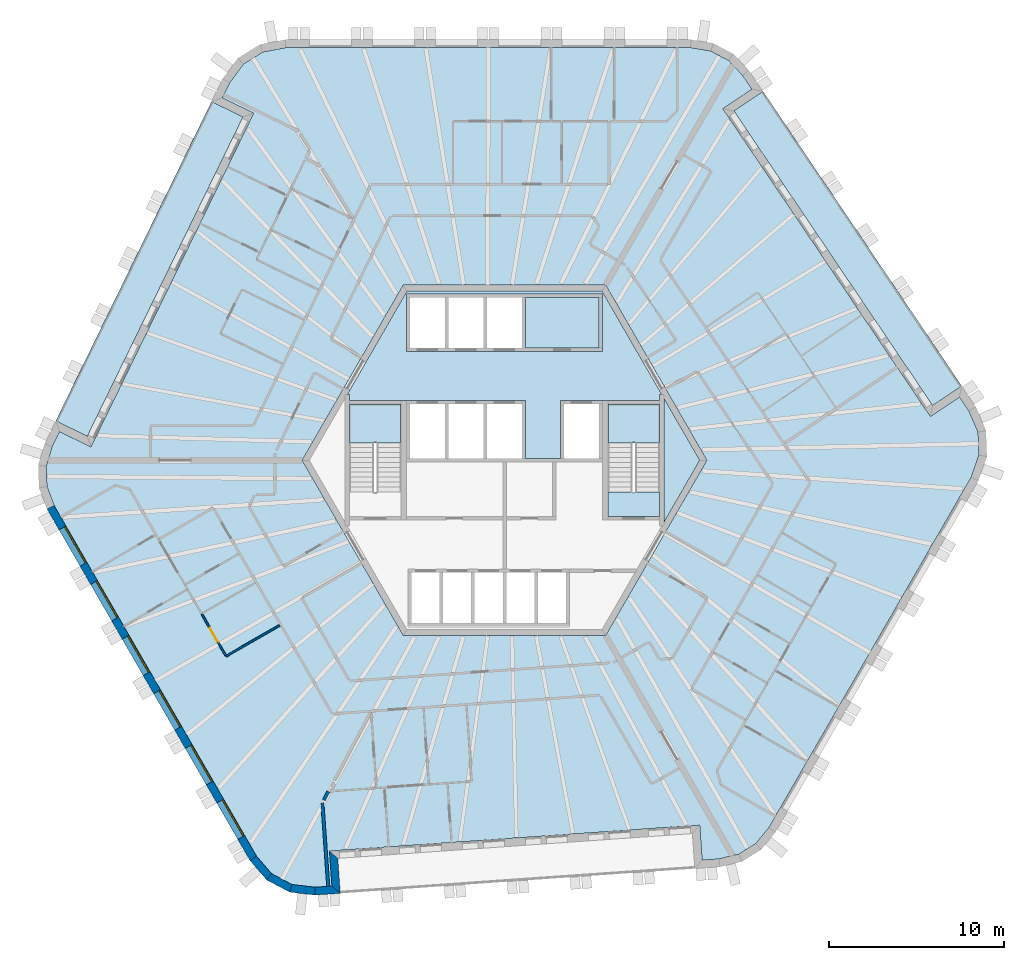
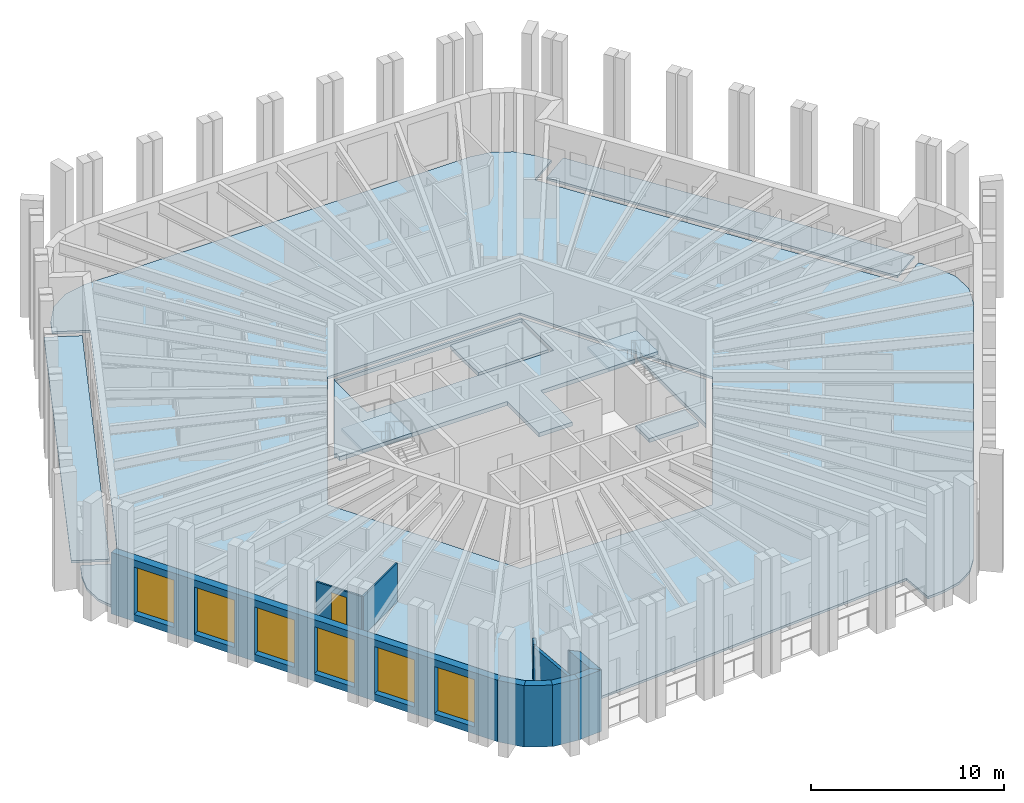
# One storey, part 2 of 12: 10 walls, 9 slabs, 6 windows, 1 door, 7 openings, 2 elements without a shape of their own.
"""IFC4 building model written with IfcOpenShell, lengths in metres."""

from ifc_helpers import new_model, si_unit, direction, frame, frame_2d, origin, place, context, subcontext, project, spatial, polyline, rectangle, outline, extrude, material, layer, layer_set, type_object, element, fill, aggregate, save


model = new_model("IFC4")

# Units and contexts
model_context = context("Model", 3, precision=1e-05, world=origin(), true_north=direction((0.0, 1.0)))
body_context = subcontext(model_context, "Body", "Model", "MODEL_VIEW")
ifc_project = project(units=[si_unit("LENGTHUNIT", "METRE"), si_unit("AREAUNIT", "SQUARE_METRE"), si_unit("VOLUMEUNIT", "CUBIC_METRE"), si_unit("PLANEANGLEUNIT", "RADIAN"), si_unit("MASSUNIT", "GRAM", prefix="KILO")], contexts=[model_context])

# Site, building, storey
site_placement = place(None, origin())
site = spatial("IfcSite", under=ifc_project, at=site_placement, CompositionType="ELEMENT")
building_placement = place(site_placement, origin())
building = spatial("IfcBuilding", under=site, at=building_placement, Name="Tarnside Tower", CompositionType="ELEMENT")
storey_placement = place(building_placement, frame((0.0, 0.0, 369.0)))
storey = spatial("IfcBuildingStorey", under=building, at=storey_placement, Name="L89", CompositionType="ELEMENT", Elevation=369.0)

# Slabs
ifc_material_1 = material(Name="Concrete C35/45", Category="concrete")
ifc_layer_1 = layer(ifc_material_1, 0.14990234375)
ifc_layer_set_1 = layer_set([ifc_layer_1], Name="Composite floor slab 150")
slab_type_1 = type_object("IfcSlabType", Name="Composite floor slab 150", PredefinedType="FLOOR", material=ifc_layer_set_1)
slab_1_placement = place(storey_placement, frame((0.0, 0.0, -0.14990234375)))
element("IfcSlab", 1, at=slab_1_placement, inside=storey, type_object=slab_type_1, Name="Floor slab L89", PredefinedType="FLOOR", context=body_context, shape_type="SweptSolid", body=[
    extrude(outline(polyline([(11.769287109375, 23.3603515625), (12.785400390625, 22.8203125), (13.58740234375, 21.969970703125), (14.12255859375, 21.1767578125), (12.46435546875, 20.058349609375), (24.30908203125, 2.498046875), (25.967041015625, 3.616455078125), (26.50048828125, 2.82568359375), (27.02880859375, 1.6005859375), (27.07470703125, 0.288818359375), (26.633056640625, -0.97021484375), (15.0869140625, -20.968505859375), (14.345947265625, -21.872802734375), (13.370361328125, -22.482421875), (12.232666015625, -22.752197265625), (11.2783203125, -22.81884765625), (11.138916015625, -20.82373046875), (-9.9912109375, -22.30126953125), (-9.8515625, -24.29638671875), (-10.80322265625, -24.36279296875), (-12.12841796875, -24.2080078125), (-13.287353515625, -23.591796875), (-14.15673828125, -22.579833984375), (-25.702880859375, -2.581298828125), (-26.115478515625, -1.487548828125), (-26.155517578125, -0.337890625), (-25.8203125, 0.7822265625), (-25.40087890625, 1.64208984375), (-23.603271484375, 0.765380859375), (-14.31787109375, 19.80322265625), (-16.115478515625, 20.679931640625), (-15.697265625, 21.537353515625), (-14.900634765625, 22.607421875), (-13.787353515625, 23.302978515625), (-12.476318359375, 23.550048828125), (10.61572265625, 23.550048828125), (11.769287109375, 23.3603515625)]), holes=[polyline([(-11.547119140625, 0.0), (-5.7734375, -10.0), (5.7734375, -10.0), (11.547119140625, 0.0), (5.7734375, 10.0), (-5.7734375, 10.0), (-11.547119140625, 0.0)])]), origin(), (0.0, 0.0, 1.0), 0.14990234375),
])
ifc_material_2 = material(Name="Concrete C40/50", Category="concrete")
ifc_layer_2 = layer(ifc_material_2, 0.25)
ifc_layer_set_2 = layer_set([ifc_layer_2], Name="Core slab C40/50")
slab_type_2 = type_object("IfcSlabType", Name="Core slab C40/50", PredefinedType="FLOOR", material=ifc_layer_set_2)
slab_2_placement = place(storey_placement, frame((0.0, 0.0, -0.25)))
element("IfcSlab", 2, at=slab_2_placement, inside=storey, type_object=slab_type_2, Name="L89 core floor slab 1", PredefinedType="FLOOR", context=body_context, shape_type="SweptSolid", body=[
    extrude(outline(polyline([(5.5712890625, 9.64990234375), (8.97509765625, 3.7548828125), (8.85009765625, 3.7548828125), (8.85009765625, 3.39990234375), (5.89990234375, 3.39990234375), (5.60009765625, 3.39990234375), (3.39990234375, 3.39990234375), (3.199951171875, 3.39990234375), (3.199951171875, 0.10009765625), (1.199951171875, 0.10009765625), (1.199951171875, 3.39990234375), (1.0, 3.39990234375), (-5.60009765625, 3.39990234375), (-5.89990234375, 3.39990234375), (-8.85009765625, 3.39990234375), (-8.85009765625, 3.7548828125), (-8.97509765625, 3.7548828125), (-5.5712890625, 9.64990234375), (5.5712890625, 9.64990234375)]), holes=[polyline([(-5.60009765625, 6.199951171875), (5.60009765625, 6.199951171875), (5.60009765625, 6.39990234375), (5.60009765625, 9.300048828125), (5.60009765625, 9.5), (-5.60009765625, 9.5), (-5.60009765625, 9.300048828125), (-5.60009765625, 6.39990234375), (-5.60009765625, 6.199951171875)])]), origin(), (0.0, 0.0, 1.0), 0.25),
])
slab_3_placement = place(storey_placement, frame((0.0, 0.0, -0.25)))
element("IfcSlab", 3, at=slab_3_placement, inside=storey, type_object=slab_type_2, Name="L89 core floor slab 4", PredefinedType="FLOOR", context=body_context, shape_type="SweptSolid", body=[
    extrude(outline(polyline([(9.10009765625, 3.538330078125), (11.142822265625, 0.0), (9.10009765625, -3.538330078125), (9.10009765625, 3.538330078125)])), origin(), (0.0, 0.0, 1.0), 0.25),
])
slab_4_placement = place(storey_placement, frame((0.0, 0.0, -0.25)))
element("IfcSlab", 4, at=slab_4_placement, inside=storey, type_object=slab_type_2, Name="L89 core floor slab 6", PredefinedType="FLOOR", context=body_context, shape_type="SweptSolid", body=[
    extrude(outline(polyline([(5.89990234375, -1.800048828125), (8.85009765625, -1.800048828125), (8.85009765625, -3.199951171875), (5.89990234375, -3.199951171875), (5.89990234375, -1.800048828125)])), origin(), (0.0, 0.0, 1.0), 0.25),
])
slab_5_placement = place(storey_placement, frame((0.0, 0.0, -0.25)))
element("IfcSlab", 5, at=slab_5_placement, inside=storey, type_object=slab_type_2, Name="L89 core floor slab 7", PredefinedType="FLOOR", context=body_context, shape_type="SweptSolid", body=[
    extrude(outline(polyline([(5.39990234375, 6.39990234375), (1.199951171875, 6.39990234375), (1.199951171875, 9.300048828125), (5.39990234375, 9.300048828125), (5.39990234375, 6.39990234375)])), origin(), (0.0, 0.0, 1.0), 0.25),
])
ifc_material_3 = material(Name="Timber decking", Category="wood")
ifc_layer_3 = layer(ifc_material_3, 0.0400390625)
ifc_material_4 = material(Name="Concrete C60/75 precast", Category="concrete")
ifc_layer_4 = layer(ifc_material_4, 0.110107421875)
ifc_layer_set_3 = layer_set([ifc_layer_3, ifc_layer_4], Name="Loggia deck 150")
slab_type_3 = type_object("IfcSlabType", Name="Loggia deck 150", PredefinedType="FLOOR", material=ifc_layer_set_3)
slab_6_placement = place(storey_placement, frame((0.0, 0.0, -0.14990234375)))
element("IfcSlab", 6, at=slab_6_placement, inside=storey, type_object=slab_type_3, Name="Loggia deck L89 F2", PredefinedType="FLOOR", context=body_context, shape_type="SweptSolid", body=[
    extrude(outline(polyline([(-14.919677734375, 19.595947265625), (-23.810546875, 1.366943359375), (-25.608154296875, 2.24365234375), (-16.71728515625, 20.47265625), (-14.919677734375, 19.595947265625)])), origin(), (0.0, 0.0, 1.0), 0.14990234375),
])
slab_7_placement = place(storey_placement, frame((0.0, 0.0, -0.14990234375)))
element("IfcSlab", 7, at=slab_7_placement, inside=storey, type_object=slab_type_3, Name="Loggia deck L89 F6", PredefinedType="FLOOR", context=body_context, shape_type="SweptSolid", body=[
    extrude(outline(polyline([(24.430419921875, 3.122802734375), (13.089111328125, 19.93701171875), (14.7470703125, 21.055419921875), (26.088623046875, 4.2412109375), (24.430419921875, 3.122802734375)])), origin(), (0.0, 0.0, 1.0), 0.14990234375),
])

# Stair, slab
stair_type = type_object("IfcStairType", Name="Exit stair 1400 clear", PredefinedType="HALF_TURN_STAIR", material=ifc_material_2)
stair_1_placement = place(storey_placement, origin())
stair_1 = element("IfcStair", 8, at=stair_1_placement, inside=storey, type_object=stair_type, Name="L89 Exit stair 1", PredefinedType="HALF_TURN_STAIR")
ifc_layer_5 = layer(ifc_material_2, 0.199951171875)
ifc_layer_set_4 = layer_set([ifc_layer_5], Name="Stair landing 200 C40/50")
slab_type_4 = type_object("IfcSlabType", Name="Stair landing 200 C40/50", PredefinedType="LANDING", material=ifc_layer_set_4)
slab_8_placement = place(storey_placement, frame((0.0, 0.0, 1.75)))
slab_8 = element("IfcSlab", 9, at=slab_8_placement, type_object=slab_type_4, Name="ST1 landing 1", PredefinedType="LANDING", context=body_context, shape_type="SweptSolid", body=[
    extrude(outline(polyline([(8.85009765625, 1.0), (8.85009765625, 3.199951171875), (5.89990234375, 3.199951171875), (5.89990234375, 1.0), (8.85009765625, 1.0)])), origin(), (0.0, 0.0, 1.0), 0.199951171875),
])
aggregate(stair_1, [slab_8])

stair_2_placement = place(storey_placement, origin())
stair_2 = element("IfcStair", 10, at=stair_2_placement, inside=storey, type_object=stair_type, Name="L89 Exit stair 2", PredefinedType="HALF_TURN_STAIR")
slab_9_placement = place(storey_placement, frame((0.0, 0.0, 1.75)))
slab_9 = element("IfcSlab", 11, at=slab_9_placement, type_object=slab_type_4, Name="ST2 landing 1", PredefinedType="LANDING", context=body_context, shape_type="SweptSolid", body=[
    extrude(outline(polyline([(-5.89990234375, 1.0), (-5.89990234375, 3.199951171875), (-8.85009765625, 3.199951171875), (-8.85009765625, 1.0), (-5.89990234375, 1.0)])), origin(), (0.0, 0.0, 1.0), 0.199951171875),
])
aggregate(stair_2, [slab_9])

# Walls
ifc_material_5 = material(Name="Gypsum board partition on steel studs", Category="steel")
ifc_layer_6 = layer(ifc_material_5, 0.179931640625)
ifc_layer_set_5 = layer_set([ifc_layer_6], Name="Demising wall 180 EI 60")
wall_type_1 = type_object("IfcWallType", Name="Demising wall 180 EI 60", PredefinedType="PARTITIONING", material=ifc_layer_set_5)
wall_1_placement = place(storey_placement, frame((-10.060302734375, -24.31103515625, 0.0), z_axis=(0.0, 0.0, 1.0), x_axis=(-0.069731958306, 0.997565764244, 0.0)))
element("IfcWall", 12, at=wall_1_placement, inside=storey, type_object=wall_type_1, Name="Demising wall 29111", PredefinedType="PARTITIONING", context=body_context, shape_type="SweptSolid", body=[
    extrude(rectangle(XDim=4.775634765625, YDim=0.179931640625, at=frame_2d((2.3876953125, 0.0))), origin(), (0.0, 0.0, 1.0), 2.469970703125),
])
wall_2_placement = place(storey_placement, frame((-10.313720703125, -19.397216796875, 0.0), z_axis=(0.0, 0.0, 1.0), x_axis=(0.469648701082, 0.882853383961, 0.0)))
element("IfcWall", 13, at=wall_2_placement, inside=storey, type_object=wall_type_1, Name="Demising wall 29112", PredefinedType="PARTITIONING", context=body_context, shape_type="SweptSolid", body=[
    extrude(rectangle(XDim=0.566650390625, YDim=0.179931640625, at=frame_2d((0.283203125, 0.0))), origin(), (0.0, 0.0, 1.0), 2.469970703125),
])
ifc_material_6 = material(Name="Dark zinc cladding")
ifc_layer_7 = layer(ifc_material_6, 0.10205078125)
ifc_layer_8 = layer(ifc_material_4, 0.248046875)
ifc_material_7 = material(Name="Mineral wool insulation")
ifc_layer_9 = layer(ifc_material_7, 0.10009765625)
ifc_layer_set_6 = layer_set([ifc_layer_7, ifc_layer_8, ifc_layer_9], Name="Loggia wall 450 zinc faced")
wall_type_2 = type_object("IfcWallType", Name="Loggia wall 450 zinc faced", PredefinedType="SOLIDWALL", material=ifc_layer_set_6)
wall_3_placement = place(storey_placement, frame((-10.80859375, -24.5888671875, -0.14990234375), z_axis=(0.0, 0.0, 1.0), x_axis=(0.997562933087, 0.069772448216, 0.0)))
element("IfcWall", 14, at=wall_3_placement, inside=storey, type_object=wall_type_2, Name="Tube wall L89 F4 stub 16", PredefinedType="SOLIDWALL", context=body_context, shape_type="SweptSolid", body=[
    extrude(outline(polyline([(-0.02099609375, -0.22509765625), (1.42529296875, -0.22509765625), (0.97509765625, 0.22509765625), (0.02099609375, 0.22509765625), (-0.02099609375, -0.22509765625)])), origin(), (0.0, 0.0, 1.0), 3.89990234375),
])
wall_4_placement = place(storey_placement, frame((-9.611328125, -24.505126953125, -0.14990234375), z_axis=(0.0, 0.0, 1.0), x_axis=(-0.069824268692, 0.99755930726, 0.0)))
element("IfcWall", 15, at=wall_4_placement, inside=storey, type_object=wall_type_2, Name="Tube wall L89 F4 return 17", PredefinedType="SOLIDWALL", context=body_context, shape_type="SweptSolid", body=[
    extrude(outline(polyline([(-0.224853515625, -0.22509765625), (1.77490234375, -0.22509765625), (2.22509765625, 0.22509765625), (0.224853515625, 0.22509765625), (-0.224853515625, -0.22509765625)])), origin(), (0.0, 0.0, 1.0), 3.89990234375),
])
ifc_layer_10 = layer(ifc_material_5, 0.10009765625)
ifc_layer_set_7 = layer_set([ifc_layer_10], Name="Partition 100")
wall_type_3 = type_object("IfcWallType", Name="Partition 100", PredefinedType="PARTITIONING", material=ifc_layer_set_7)
wall_5_placement = place(storey_placement, frame((-12.8359375, -9.417724609375, 0.0), z_axis=(0.0, 0.0, 1.0), x_axis=(-0.866031034943, -0.499990246421, 0.0)))
element("IfcWall", 16, at=wall_5_placement, inside=storey, type_object=wall_type_3, Name="Partition wall 29109", PredefinedType="PARTITIONING", context=body_context, shape_type="SweptSolid", body=[
    extrude(rectangle(XDim=3.52490234375, YDim=0.10009765625, at=frame_2d((1.762451171875, 0.0))), origin(), (0.0, 0.0, 1.0), 2.469970703125),
])

# Wall, opening, door
wall_6_placement = place(storey_placement, frame((-15.91357421875, -11.136962890625, 0.0), z_axis=(0.0, 0.0, 1.0), x_axis=(-0.50000943426, 0.866019956843, 0.0)))
wall_6 = element("IfcWall", 17, at=wall_6_placement, inside=storey, type_object=wall_type_3, Name="Partition wall 29110", PredefinedType="PARTITIONING", context=body_context, shape_type="SweptSolid", body=[
    extrude(rectangle(XDim=2.7001953125, YDim=0.10009765625, at=frame_2d((1.35009765625, 0.0))), origin(), (0.0, 0.0, 1.0), 2.469970703125),
])
opening_1_placement = place(wall_6_placement, frame((0.89990234375, 0.0, 0.0)))
opening_1 = element("IfcOpeningElement", 18, at=opening_1_placement, cuts=wall_6, Name="Opening D-I1", PredefinedType="OPENING", context=body_context, shape_type="SweptSolid", body=[
    extrude(rectangle(XDim=0.89990234375, YDim=2.10009765625, at=frame_2d((0.449951171875, 1.050048828125))), frame((0.0, 0.06005859375, 0.0), z_axis=(0.0, -1.0, 0.0), x_axis=(1.0, 0.0, 0.0)), (0.0, 0.0, 1.0), 0.1201171875),
])
ifc_material_8 = material(Name="Timber door leaf", Category="wood")
door_type = type_object("IfcDoorType", Name="Internal door 900", OperationType="NOTDEFINED", PredefinedType="DOOR", material=ifc_material_8)
door_placement = place(opening_1_placement, origin())
door = element("IfcDoor", 19, at=door_placement, inside=storey, type_object=door_type, Name="Internal door 29030", OperationType="SINGLE_SWING_LEFT", OverallHeight=2.10009765625, OverallWidth=0.89990234375, PredefinedType="DOOR", context=body_context, shape_type="SweptSolid", body=[
    extrude(rectangle(XDim=0.89990234375, YDim=2.10009765625, at=frame_2d((0.449951171875, 1.050048828125))), frame((0.0, 0.02490234375, 0.0), z_axis=(0.0, -1.0, 0.0), x_axis=(1.0, 0.0, 0.0)), (0.0, 0.0, 1.0), 0.050048828125),
])
fill(opening_1, door)

# Wall, openings, windows
ifc_material_9 = material(Name="Facing brick", Category="masonry")
ifc_layer_11 = layer(ifc_material_9, 0.10205078125)
ifc_layer_12 = layer(ifc_material_4, 0.248046875)
ifc_layer_13 = layer(ifc_material_7, 0.10009765625)
ifc_layer_set_8 = layer_set([ifc_layer_11, ifc_layer_12, ifc_layer_13], Name="Tube wall 450 brick faced")
wall_type_4 = type_object("IfcWallType", Name="Tube wall 450 brick faced", PredefinedType="SOLIDWALL", material=ifc_layer_set_8)
wall_7_placement = place(storey_placement, frame((-25.90673828125, -2.677978515625, -0.14990234375), z_axis=(0.0, 0.0, 1.0), x_axis=(0.499997453958, -0.866026873738, 0.0)))
wall_7 = element("IfcWall", 20, at=wall_7_placement, inside=storey, type_object=wall_type_4, Name="Tube wall L89 F3 flush 12", PredefinedType="SOLIDWALL", context=body_context, shape_type="SweptSolid", body=[
    extrude(outline(polyline([(-0.018310546875, -0.22509765625), (23.15234375, -0.22509765625), (23.1103515625, 0.22509765625), (0.018310546875, 0.22509765625), (-0.018310546875, -0.22509765625)])), origin(), (0.0, 0.0, 1.0), 3.89990234375),
])
opening_2_placement = place(wall_7_placement, frame((1.36572265625, 0.0, 0.449951171875)))
opening_2 = element("IfcOpeningElement", 21, at=opening_2_placement, cuts=wall_7, Name="Opening WP", PredefinedType="OPENING", context=body_context, shape_type="SweptSolid", body=[
    extrude(rectangle(XDim=2.39990234375, YDim=3.0, at=frame_2d((1.199951171875, 1.5))), frame((0.0, 0.23486328125, 0.0), z_axis=(0.0, -1.0, 0.0), x_axis=(1.0, 0.0, 0.0)), (0.0, 0.0, 1.0), 0.469970703125),
])
opening_3_placement = place(wall_7_placement, frame((4.9658203125, 0.0, 0.449951171875)))
opening_3 = element("IfcOpeningElement", 22, at=opening_3_placement, cuts=wall_7, Name="Opening WP", PredefinedType="OPENING", context=body_context, shape_type="SweptSolid", body=[
    extrude(rectangle(XDim=2.39990234375, YDim=3.0, at=frame_2d((1.199951171875, 1.5))), frame((0.0, 0.23486328125, 0.0), z_axis=(0.0, -1.0, 0.0), x_axis=(1.0, 0.0, 0.0)), (0.0, 0.0, 1.0), 0.469970703125),
])
opening_4_placement = place(wall_7_placement, frame((8.56591796875, 0.0, 0.449951171875)))
opening_4 = element("IfcOpeningElement", 23, at=opening_4_placement, cuts=wall_7, Name="Opening WP", PredefinedType="OPENING", context=body_context, shape_type="SweptSolid", body=[
    extrude(rectangle(XDim=2.39990234375, YDim=3.0, at=frame_2d((1.199951171875, 1.5))), frame((0.0, 0.23486328125, 0.0), z_axis=(0.0, -1.0, 0.0), x_axis=(1.0, 0.0, 0.0)), (0.0, 0.0, 1.0), 0.469970703125),
])
opening_5_placement = place(wall_7_placement, frame((12.165771484375, 0.0, 0.449951171875)))
opening_5 = element("IfcOpeningElement", 24, at=opening_5_placement, cuts=wall_7, Name="Opening WP", PredefinedType="OPENING", context=body_context, shape_type="SweptSolid", body=[
    extrude(rectangle(XDim=2.39990234375, YDim=3.0, at=frame_2d((1.199951171875, 1.5))), frame((0.0, 0.23486328125, 0.0), z_axis=(0.0, -1.0, 0.0), x_axis=(1.0, 0.0, 0.0)), (0.0, 0.0, 1.0), 0.469970703125),
])
opening_6_placement = place(wall_7_placement, frame((15.765869140625, 0.0, 0.449951171875)))
opening_6 = element("IfcOpeningElement", 25, at=opening_6_placement, cuts=wall_7, Name="Opening WP", PredefinedType="OPENING", context=body_context, shape_type="SweptSolid", body=[
    extrude(rectangle(XDim=2.39990234375, YDim=3.0, at=frame_2d((1.199951171875, 1.5))), frame((0.0, 0.23486328125, 0.0), z_axis=(0.0, -1.0, 0.0), x_axis=(1.0, 0.0, 0.0)), (0.0, 0.0, 1.0), 0.469970703125),
])
opening_7_placement = place(wall_7_placement, frame((19.36572265625, 0.0, 0.449951171875)))
opening_7 = element("IfcOpeningElement", 26, at=opening_7_placement, cuts=wall_7, Name="Opening WP", PredefinedType="OPENING", context=body_context, shape_type="SweptSolid", body=[
    extrude(rectangle(XDim=2.39990234375, YDim=3.0, at=frame_2d((1.199951171875, 1.5))), frame((0.0, 0.23486328125, 0.0), z_axis=(0.0, -1.0, 0.0), x_axis=(1.0, 0.0, 0.0)), (0.0, 0.0, 1.0), 0.469970703125),
])
ifc_material_10 = material(Name="Aluminium-framed double glazing", Category="aluminium")
window_type = type_object("IfcWindowType", Name="Penthouse window 2400 x 3000", PartitioningType="DOUBLE_PANEL_VERTICAL", PredefinedType="WINDOW", material=ifc_material_10)
window_1_placement = place(opening_2_placement, frame((0.0, 0.1552734375, 0.0)))
window_1 = element("IfcWindow", 27, at=window_1_placement, inside=storey, type_object=window_type, Name="E.WN.L89.F3.00", OverallHeight=3.0, OverallWidth=2.39990234375, PartitioningType="DOUBLE_PANEL_VERTICAL", PredefinedType="WINDOW", context=body_context, shape_type="SweptSolid", body=[
    extrude(rectangle(XDim=2.39990234375, YDim=3.0, at=frame_2d((1.199951171875, 1.5))), frame((0.0, 0.030029296875, 0.0), z_axis=(0.0, -1.0, 0.0), x_axis=(1.0, 0.0, 0.0)), (0.0, 0.0, 1.0), 0.06005859375),
])
fill(opening_2, window_1)
window_2_placement = place(opening_3_placement, frame((0.0, 0.1552734375, 0.0)))
window_2 = element("IfcWindow", 28, at=window_2_placement, inside=storey, type_object=window_type, Name="E.WN.L89.F3.01", OverallHeight=3.0, OverallWidth=2.39990234375, PartitioningType="DOUBLE_PANEL_VERTICAL", PredefinedType="WINDOW", context=body_context, shape_type="SweptSolid", body=[
    extrude(rectangle(XDim=2.39990234375, YDim=3.0, at=frame_2d((1.199951171875, 1.5))), frame((0.0, 0.030029296875, 0.0), z_axis=(0.0, -1.0, 0.0), x_axis=(1.0, 0.0, 0.0)), (0.0, 0.0, 1.0), 0.06005859375),
])
fill(opening_3, window_2)
window_3_placement = place(opening_4_placement, frame((0.0, 0.1552734375, 0.0)))
window_3 = element("IfcWindow", 29, at=window_3_placement, inside=storey, type_object=window_type, Name="E.WN.L89.F3.02", OverallHeight=3.0, OverallWidth=2.39990234375, PartitioningType="DOUBLE_PANEL_VERTICAL", PredefinedType="WINDOW", context=body_context, shape_type="SweptSolid", body=[
    extrude(rectangle(XDim=2.39990234375, YDim=3.0, at=frame_2d((1.199951171875, 1.5))), frame((0.0, 0.030029296875, 0.0), z_axis=(0.0, -1.0, 0.0), x_axis=(1.0, 0.0, 0.0)), (0.0, 0.0, 1.0), 0.06005859375),
])
fill(opening_4, window_3)
window_4_placement = place(opening_5_placement, frame((0.0, 0.1552734375, 0.0)))
window_4 = element("IfcWindow", 30, at=window_4_placement, inside=storey, type_object=window_type, Name="E.WN.L89.F3.03", OverallHeight=3.0, OverallWidth=2.39990234375, PartitioningType="DOUBLE_PANEL_VERTICAL", PredefinedType="WINDOW", context=body_context, shape_type="SweptSolid", body=[
    extrude(rectangle(XDim=2.39990234375, YDim=3.0, at=frame_2d((1.199951171875, 1.5))), frame((0.0, 0.030029296875, 0.0), z_axis=(0.0, -1.0, 0.0), x_axis=(1.0, 0.0, 0.0)), (0.0, 0.0, 1.0), 0.06005859375),
])
fill(opening_5, window_4)
window_5_placement = place(opening_6_placement, frame((0.0, 0.1552734375, 0.0)))
window_5 = element("IfcWindow", 31, at=window_5_placement, inside=storey, type_object=window_type, Name="E.WN.L89.F3.04", OverallHeight=3.0, OverallWidth=2.39990234375, PartitioningType="DOUBLE_PANEL_VERTICAL", PredefinedType="WINDOW", context=body_context, shape_type="SweptSolid", body=[
    extrude(rectangle(XDim=2.39990234375, YDim=3.0, at=frame_2d((1.199951171875, 1.5))), frame((0.0, 0.030029296875, 0.0), z_axis=(0.0, -1.0, 0.0), x_axis=(1.0, 0.0, 0.0)), (0.0, 0.0, 1.0), 0.06005859375),
])
fill(opening_6, window_5)
window_6_placement = place(opening_7_placement, frame((0.0, 0.1552734375, 0.0)))
window_6 = element("IfcWindow", 32, at=window_6_placement, inside=storey, type_object=window_type, Name="E.WN.L89.F3.05", OverallHeight=3.0, OverallWidth=2.39990234375, PartitioningType="DOUBLE_PANEL_VERTICAL", PredefinedType="WINDOW", context=body_context, shape_type="SweptSolid", body=[
    extrude(rectangle(XDim=2.39990234375, YDim=3.0, at=frame_2d((1.199951171875, 1.5))), frame((0.0, 0.030029296875, 0.0), z_axis=(0.0, -1.0, 0.0), x_axis=(1.0, 0.0, 0.0)), (0.0, 0.0, 1.0), 0.06005859375),
])
fill(opening_7, window_6)

# Walls
wall_8_placement = place(storey_placement, frame((-14.341064453125, -22.71044921875, -0.14990234375), z_axis=(0.0, 0.0, 1.0), x_axis=(0.651625422694, -0.758540907597, 0.0)))
element("IfcWall", 33, at=wall_8_placement, inside=storey, type_object=wall_type_4, Name="Tube wall L89 F3 chord 13", PredefinedType="SOLIDWALL", context=body_context, shape_type="SweptSolid", body=[
    extrude(outline(polyline([(-0.02099609375, -0.22509765625), (1.43994140625, -0.22509765625), (1.35498046875, 0.22509765625), (0.02099609375, 0.22509765625), (-0.02099609375, -0.22509765625)])), origin(), (0.0, 0.0, 1.0), 3.89990234375),
])
wall_9_placement = place(storey_placement, frame((-13.430419921875, -23.7705078125, -0.14990234375), z_axis=(0.0, 0.0, 1.0), x_axis=(0.882966382564, -0.469436222784, 0.0)))
element("IfcWall", 34, at=wall_9_placement, inside=storey, type_object=wall_type_4, Name="Tube wall L89 F3 chord 14", PredefinedType="SOLIDWALL", context=body_context, shape_type="SweptSolid", body=[
    extrude(outline(polyline([(-0.04248046875, -0.22509765625), (1.43994140625, -0.22509765625), (1.35498046875, 0.22509765625), (0.04248046875, 0.22509765625), (-0.04248046875, -0.22509765625)])), origin(), (0.0, 0.0, 1.0), 3.89990234375),
])
wall_10_placement = place(storey_placement, frame((-12.196533203125, -24.426513671875, -0.14990234375), z_axis=(0.0, 0.0, 1.0), x_axis=(0.993227902261, -0.116182331575, 0.0)))
element("IfcWall", 35, at=wall_10_placement, inside=storey, type_object=wall_type_4, Name="Tube wall L89 F3 chord 15", PredefinedType="SOLIDWALL", context=body_context, shape_type="SweptSolid", body=[
    extrude(outline(polyline([(-0.04248046875, -0.22509765625), (1.41845703125, -0.22509765625), (1.37646484375, 0.22509765625), (0.04248046875, 0.22509765625), (-0.04248046875, -0.22509765625)])), origin(), (0.0, 0.0, 1.0), 3.89990234375),
])

save(model, "model.ifc")
